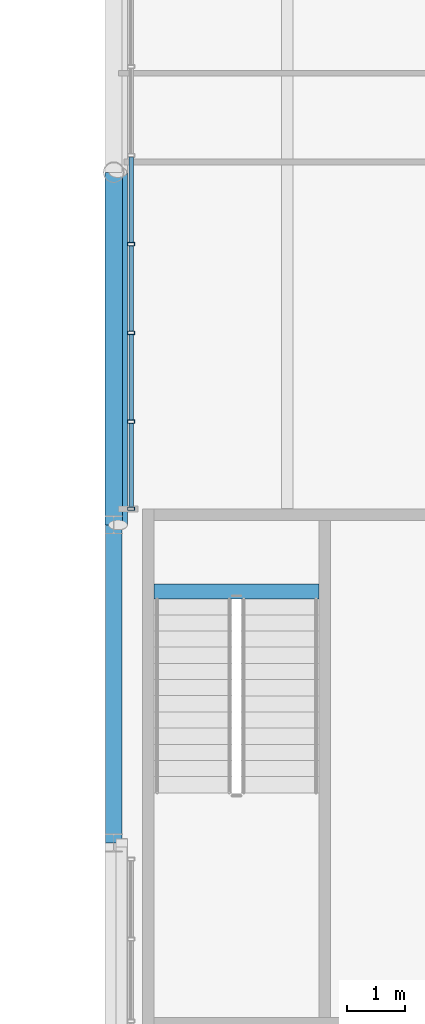
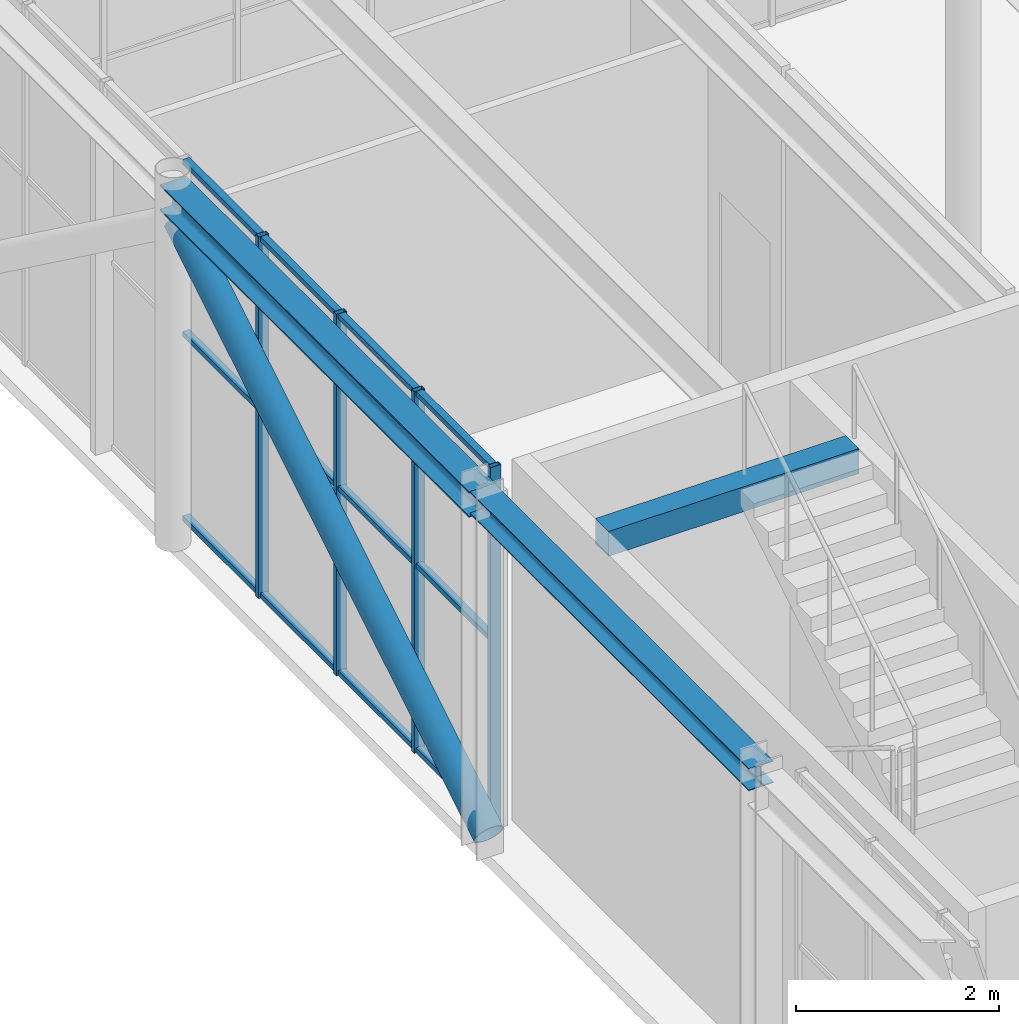
# One storey, part 30 of 111: 17 members, 3 beams, 1 element without a shape of its own.
"""IFC4 building model written with IfcOpenShell, lengths in metres."""

from ifc_helpers import new_model, si_unit, direction, frame, origin, origin_2d, place, context, subcontext, project, spatial, rectangle, hollow_rectangle, hollow_circle, i_section, extrude, material, layer, layer_set, material_profile, profile_set, type_object, element, aggregate, save


model = new_model("IFC4")

# Units and contexts
model_context = context("Model", 3, precision=1e-05, world=origin(), true_north=direction((0.0, 1.0)))
body_context = subcontext(model_context, "Body", "Model", "MODEL_VIEW")
ifc_project = project(units=[si_unit("LENGTHUNIT", "METRE"), si_unit("AREAUNIT", "SQUARE_METRE"), si_unit("VOLUMEUNIT", "CUBIC_METRE"), si_unit("PLANEANGLEUNIT", "RADIAN"), si_unit("MASSUNIT", "GRAM", prefix="KILO")], contexts=[model_context])

# Site, building, storey
site_placement = place(None, origin())
site = spatial("IfcSite", under=ifc_project, at=site_placement, CompositionType="ELEMENT")
building_placement = place(site_placement, origin())
building = spatial("IfcBuilding", under=site, at=building_placement, Name="Kallimachos Central Library", CompositionType="ELEMENT")
storey_placement = place(building_placement, frame((0.0, 0.0, 14.39990234375)))
storey = spatial("IfcBuildingStorey", under=building, at=storey_placement, Name="L03", CompositionType="ELEMENT", Elevation=14.39990234375)

# Member
ifc_material_1 = material(Name="Steel S355J2H", Category="steel")
ifc_material_profile_1 = material_profile(ifc_material_1, hollow_circle(Radius=0.161865234375, WallThickness=0.012451171875, at=origin_2d()), Name="CHS 323.9x12.5")
ifc_profile_set_1 = profile_set([ifc_material_profile_1], Name="Steel S355J2H")
member_type_1 = type_object("IfcMemberType", Name="CHS 323.9x12.5 brace", PredefinedType="BRACE", material=ifc_profile_set_1)
member_1_placement = place(storey_placement, frame((65.572998046875, 110.5, 0.150146484375), z_axis=(0.0, 0.855016223334, 0.518601251286), x_axis=(-1.0, 0.0, 0.0)))
element("IfcMember", 1, at=member_1_placement, inside=storey, type_object=member_type_1, Name="Cantilever truss diagonal 65.5 L03.1", PredefinedType="BRACE", context=body_context, shape_type="SweptSolid", body=[
    extrude(hollow_circle(Radius=0.161865234375, WallThickness=0.012451171875, at=origin_2d()), origin(), (0.0, 0.0, 1.0), 7.134521484375),
])

# Curtain wall, members
ifc_material_2 = material(Name="Anodised aluminium and laminated glass", Category="aluminium")
ifc_layer = layer(ifc_material_2, 0.159912109375)
ifc_layer_set = layer_set([ifc_layer], Name="Glass box curtain wall")
curtain_wall_type = type_object("IfcCurtainWallType", Name="Glass box curtain wall", PredefinedType="NOTDEFINED", material=ifc_layer_set)
curtain_wall_placement = place(storey_placement, origin())
curtain_wall = element("IfcCurtainWall", 2, at=curtain_wall_placement, inside=storey, type_object=curtain_wall_type, Name="Glass box curtain wall W L03", PredefinedType="NOTDEFINED")
ifc_material_3 = material(Name="Anodised aluminium", Category="aluminium")
ifc_material_profile_2 = material_profile(ifc_material_3, hollow_rectangle(XDim=0.06005859375, YDim=0.1201171875, WallThickness=0.00390625, at=origin_2d()), Name="ALU MULLION 60x120")
ifc_profile_set_2 = profile_set([ifc_material_profile_2], Name="Anodised aluminium")
member_type_2 = type_object("IfcMemberType", Name="Glass box mullion 60x120", PredefinedType="MULLION", material=ifc_profile_set_2)
member_2_placement = place(storey_placement, frame((65.800048828125, 110.780029296875, 0.0), z_axis=(0.0, 0.0, 1.0), x_axis=(0.0, 1.0, 0.0)))
member_2 = element("IfcMember", 3, at=member_2_placement, type_object=member_type_2, Name="CW24 mullion 1", PredefinedType="MULLION", context=body_context, shape_type="SweptSolid", body=[
    extrude(hollow_rectangle(XDim=0.06005859375, YDim=0.1201171875, WallThickness=0.00390625, at=origin_2d()), origin(), (0.0, 0.0, 1.0), 4.35009765625),
])
member_3_placement = place(storey_placement, frame((65.800048828125, 112.28564453125, 0.0), z_axis=(0.0, 0.0, 1.0), x_axis=(0.0, 1.0, 0.0)))
member_3 = element("IfcMember", 4, at=member_3_placement, type_object=member_type_2, Name="CW24 mullion 2", PredefinedType="MULLION", context=body_context, shape_type="SweptSolid", body=[
    extrude(hollow_rectangle(XDim=0.06005859375, YDim=0.1201171875, WallThickness=0.00390625, at=origin_2d()), origin(), (0.0, 0.0, 1.0), 4.35009765625),
])
member_4_placement = place(storey_placement, frame((65.800048828125, 113.821533203125, 0.0), z_axis=(0.0, 0.0, 1.0), x_axis=(0.0, 1.0, 0.0)))
member_4 = element("IfcMember", 5, at=member_4_placement, type_object=member_type_2, Name="CW24 mullion 3", PredefinedType="MULLION", context=body_context, shape_type="SweptSolid", body=[
    extrude(hollow_rectangle(XDim=0.06005859375, YDim=0.1201171875, WallThickness=0.00390625, at=origin_2d()), origin(), (0.0, 0.0, 1.0), 4.35009765625),
])
member_5_placement = place(storey_placement, frame((65.800048828125, 115.357177734375, 0.0), z_axis=(0.0, 0.0, 1.0), x_axis=(0.0, 1.0, 0.0)))
member_5 = element("IfcMember", 6, at=member_5_placement, type_object=member_type_2, Name="CW24 mullion 4", PredefinedType="MULLION", context=body_context, shape_type="SweptSolid", body=[
    extrude(hollow_rectangle(XDim=0.06005859375, YDim=0.1201171875, WallThickness=0.00390625, at=origin_2d()), origin(), (0.0, 0.0, 1.0), 4.35009765625),
])
ifc_material_4 = material(Name="Anodised aluminium", Category="aluminium")
ifc_material_profile_3 = material_profile(ifc_material_4, hollow_rectangle(XDim=0.06005859375, YDim=0.080078125, WallThickness=0.00390625, at=origin_2d()), Name="ALU TRANSOM 60x80")
ifc_profile_set_3 = profile_set([ifc_material_profile_3], Name="Anodised aluminium")
member_type_3 = type_object("IfcMemberType", Name="Glass box transom 60x80", PredefinedType="USERDEFINED", material=ifc_profile_set_3)
member_6_placement = place(storey_placement, frame((65.800048828125, 110.81005859375, 0.030029296875), z_axis=(0.0, 1.0, 0.0), x_axis=(0.0, 0.0, 1.0)))
member_6 = element("IfcMember", 7, at=member_6_placement, type_object=member_type_3, Name="CW24 transom 1.1", ObjectType="TRANSOM", PredefinedType="USERDEFINED", context=body_context, shape_type="SweptSolid", body=[
    extrude(hollow_rectangle(XDim=0.06005859375, YDim=0.080078125, WallThickness=0.00390625, at=origin_2d()), origin(), (0.0, 0.0, 1.0), 1.445556640625),
])
member_7_placement = place(storey_placement, frame((65.800048828125, 110.81005859375, 2.25), z_axis=(0.0, 1.0, 0.0), x_axis=(0.0, 0.0, 1.0)))
member_7 = element("IfcMember", 8, at=member_7_placement, type_object=member_type_3, Name="CW24 transom 1.2", ObjectType="TRANSOM", PredefinedType="USERDEFINED", context=body_context, shape_type="SweptSolid", body=[
    extrude(hollow_rectangle(XDim=0.06005859375, YDim=0.080078125, WallThickness=0.00390625, at=origin_2d()), origin(), (0.0, 0.0, 1.0), 1.445556640625),
])
member_8_placement = place(storey_placement, frame((65.800048828125, 110.81005859375, 4.320068359375), z_axis=(0.0, 1.0, 0.0), x_axis=(0.0, 0.0, 1.0)))
member_8 = element("IfcMember", 9, at=member_8_placement, type_object=member_type_3, Name="CW24 transom 1.3", ObjectType="TRANSOM", PredefinedType="USERDEFINED", context=body_context, shape_type="SweptSolid", body=[
    extrude(hollow_rectangle(XDim=0.06005859375, YDim=0.080078125, WallThickness=0.00390625, at=origin_2d()), origin(), (0.0, 0.0, 1.0), 1.445556640625),
])
member_9_placement = place(storey_placement, frame((65.800048828125, 112.315673828125, 0.030029296875), z_axis=(0.0, 1.0, 0.0), x_axis=(0.0, 0.0, 1.0)))
member_9 = element("IfcMember", 10, at=member_9_placement, type_object=member_type_3, Name="CW24 transom 2.1", ObjectType="TRANSOM", PredefinedType="USERDEFINED", context=body_context, shape_type="SweptSolid", body=[
    extrude(hollow_rectangle(XDim=0.06005859375, YDim=0.080078125, WallThickness=0.00390625, at=origin_2d()), origin(), (0.0, 0.0, 1.0), 1.475830078125),
])
member_10_placement = place(storey_placement, frame((65.800048828125, 112.315673828125, 2.25), z_axis=(0.0, 1.0, 0.0), x_axis=(0.0, 0.0, 1.0)))
member_10 = element("IfcMember", 11, at=member_10_placement, type_object=member_type_3, Name="CW24 transom 2.2", ObjectType="TRANSOM", PredefinedType="USERDEFINED", context=body_context, shape_type="SweptSolid", body=[
    extrude(hollow_rectangle(XDim=0.06005859375, YDim=0.080078125, WallThickness=0.00390625, at=origin_2d()), origin(), (0.0, 0.0, 1.0), 1.475830078125),
])
member_11_placement = place(storey_placement, frame((65.800048828125, 112.315673828125, 4.320068359375), z_axis=(0.0, 1.0, 0.0), x_axis=(0.0, 0.0, 1.0)))
member_11 = element("IfcMember", 12, at=member_11_placement, type_object=member_type_3, Name="CW24 transom 2.3", ObjectType="TRANSOM", PredefinedType="USERDEFINED", context=body_context, shape_type="SweptSolid", body=[
    extrude(hollow_rectangle(XDim=0.06005859375, YDim=0.080078125, WallThickness=0.00390625, at=origin_2d()), origin(), (0.0, 0.0, 1.0), 1.475830078125),
])
member_12_placement = place(storey_placement, frame((65.800048828125, 113.851318359375, 0.030029296875), z_axis=(0.0, 1.0, 0.0), x_axis=(0.0, 0.0, 1.0)))
member_12 = element("IfcMember", 13, at=member_12_placement, type_object=member_type_3, Name="CW24 transom 3.1", ObjectType="TRANSOM", PredefinedType="USERDEFINED", context=body_context, shape_type="SweptSolid", body=[
    extrude(hollow_rectangle(XDim=0.06005859375, YDim=0.080078125, WallThickness=0.00390625, at=origin_2d()), origin(), (0.0, 0.0, 1.0), 1.475830078125),
])
member_13_placement = place(storey_placement, frame((65.800048828125, 113.851318359375, 2.25), z_axis=(0.0, 1.0, 0.0), x_axis=(0.0, 0.0, 1.0)))
member_13 = element("IfcMember", 14, at=member_13_placement, type_object=member_type_3, Name="CW24 transom 3.2", ObjectType="TRANSOM", PredefinedType="USERDEFINED", context=body_context, shape_type="SweptSolid", body=[
    extrude(hollow_rectangle(XDim=0.06005859375, YDim=0.080078125, WallThickness=0.00390625, at=origin_2d()), origin(), (0.0, 0.0, 1.0), 1.475830078125),
])
member_14_placement = place(storey_placement, frame((65.800048828125, 113.851318359375, 4.320068359375), z_axis=(0.0, 1.0, 0.0), x_axis=(0.0, 0.0, 1.0)))
member_14 = element("IfcMember", 15, at=member_14_placement, type_object=member_type_3, Name="CW24 transom 3.3", ObjectType="TRANSOM", PredefinedType="USERDEFINED", context=body_context, shape_type="SweptSolid", body=[
    extrude(hollow_rectangle(XDim=0.06005859375, YDim=0.080078125, WallThickness=0.00390625, at=origin_2d()), origin(), (0.0, 0.0, 1.0), 1.475830078125),
])
member_15_placement = place(storey_placement, frame((65.800048828125, 115.38720703125, 0.030029296875), z_axis=(0.0, 1.0, 0.0), x_axis=(0.0, 0.0, 1.0)))
member_15 = element("IfcMember", 16, at=member_15_placement, type_object=member_type_3, Name="CW24 transom 4.1", ObjectType="TRANSOM", PredefinedType="USERDEFINED", context=body_context, shape_type="SweptSolid", body=[
    extrude(hollow_rectangle(XDim=0.06005859375, YDim=0.080078125, WallThickness=0.00390625, at=origin_2d()), origin(), (0.0, 0.0, 1.0), 1.4755859375),
])
member_16_placement = place(storey_placement, frame((65.800048828125, 115.38720703125, 2.25), z_axis=(0.0, 1.0, 0.0), x_axis=(0.0, 0.0, 1.0)))
member_16 = element("IfcMember", 17, at=member_16_placement, type_object=member_type_3, Name="CW24 transom 4.2", ObjectType="TRANSOM", PredefinedType="USERDEFINED", context=body_context, shape_type="SweptSolid", body=[
    extrude(hollow_rectangle(XDim=0.06005859375, YDim=0.080078125, WallThickness=0.00390625, at=origin_2d()), origin(), (0.0, 0.0, 1.0), 1.4755859375),
])
member_17_placement = place(storey_placement, frame((65.800048828125, 115.38720703125, 4.320068359375), z_axis=(0.0, 1.0, 0.0), x_axis=(0.0, 0.0, 1.0)))
member_17 = element("IfcMember", 18, at=member_17_placement, type_object=member_type_3, Name="CW24 transom 4.3", ObjectType="TRANSOM", PredefinedType="USERDEFINED", context=body_context, shape_type="SweptSolid", body=[
    extrude(hollow_rectangle(XDim=0.06005859375, YDim=0.080078125, WallThickness=0.00390625, at=origin_2d()), origin(), (0.0, 0.0, 1.0), 1.4755859375),
])
aggregate(curtain_wall, [member_2, member_3, member_4, member_5, member_6, member_7, member_8, member_9, member_10, member_11, member_12, member_13, member_14, member_15, member_16, member_17])

# Beams
ifc_material_5 = material(Name="Steel S355J2", Category="steel")
ifc_material_profile_4 = material_profile(ifc_material_5, i_section(OverallWidth=0.280029296875, OverallDepth=0.27001953125, WebThickness=0.008056640625, FlangeThickness=0.012939453125, FilletRadius=0.02392578125, at=origin_2d()), Name="HEA 280")
ifc_profile_set_4 = profile_set([ifc_material_profile_4], Name="Steel S355J2")
beam_type_1 = type_object("IfcBeamType", Name="HEA 280 beam", PredefinedType="BEAM", material=ifc_profile_set_4)
beam_1_placement = place(storey_placement, frame((65.5, 105.0, 4.215087890625), z_axis=(0.0, 1.0, 0.0), x_axis=(-1.0, 0.0, 0.0)))
element("IfcBeam", 19, at=beam_1_placement, inside=storey, type_object=beam_type_1, Name="V1-BEM-L03-022", PredefinedType="BEAM", context=body_context, shape_type="SweptSolid", body=[
    extrude(i_section(OverallWidth=0.280029296875, OverallDepth=0.27001953125, WebThickness=0.008056640625, FlangeThickness=0.012939453125, FilletRadius=0.02392578125, at=origin_2d()), origin(), (0.0, 0.0, 1.0), 5.5),
])
ifc_material_6 = material(Name="Steel S355J2", Category="steel")
ifc_material_profile_5 = material_profile(ifc_material_6, i_section(OverallWidth=0.300048828125, OverallDepth=0.31005859375, WebThickness=0.009033203125, FlangeThickness=0.015380859375, FilletRadius=0.027099609375, at=origin_2d()), Name="HEA 320")
ifc_profile_set_5 = profile_set([ifc_material_profile_5], Name="Steel S355J2")
beam_type_2 = type_object("IfcBeamType", Name="HEA 320 beam", PredefinedType="BEAM", material=ifc_profile_set_5)
beam_2_placement = place(storey_placement, frame((65.5, 110.5, 4.195068359375), z_axis=(0.0, 1.0, 0.0), x_axis=(-1.0, 0.0, 0.0)))
element("IfcBeam", 20, at=beam_2_placement, inside=storey, type_object=beam_type_2, Name="V1-BEM-L03-023", PredefinedType="BEAM", context=body_context, shape_type="SweptSolid", body=[
    extrude(i_section(OverallWidth=0.300048828125, OverallDepth=0.31005859375, WebThickness=0.009033203125, FlangeThickness=0.015380859375, FilletRadius=0.027099609375, at=origin_2d()), origin(), (0.0, 0.0, 1.0), 6.10009765625),
])
ifc_material_7 = material(Name="Concrete C30/37", Category="concrete")
ifc_material_profile_6 = material_profile(ifc_material_7, rectangle(XDim=0.260009765625, YDim=0.300048828125, at=origin_2d()), Name="RC stair trimmer beam 260 x 300")
ifc_profile_set_6 = profile_set([ifc_material_profile_6], Name="Concrete C30/37")
beam_type_3 = type_object("IfcBeamType", Name="RC stair trimmer beam 260 x 300", PredefinedType="BEAM", material=ifc_profile_set_6)
beam_3_placement = place(storey_placement, frame((66.199951171875, 109.35107421875, 4.2001953125), z_axis=(1.0, 0.0, 0.0), x_axis=(0.0, 1.0, 0.0)))
element("IfcBeam", 21, at=beam_3_placement, inside=storey, type_object=beam_type_3, Name="Stair trimmer beam ST3 L03", PredefinedType="BEAM", context=body_context, shape_type="SweptSolid", body=[
    extrude(rectangle(XDim=0.260009765625, YDim=0.300048828125, at=origin_2d()), origin(), (0.0, 0.0, 1.0), 2.85009765625),
])

save(model, "model.ifc")
